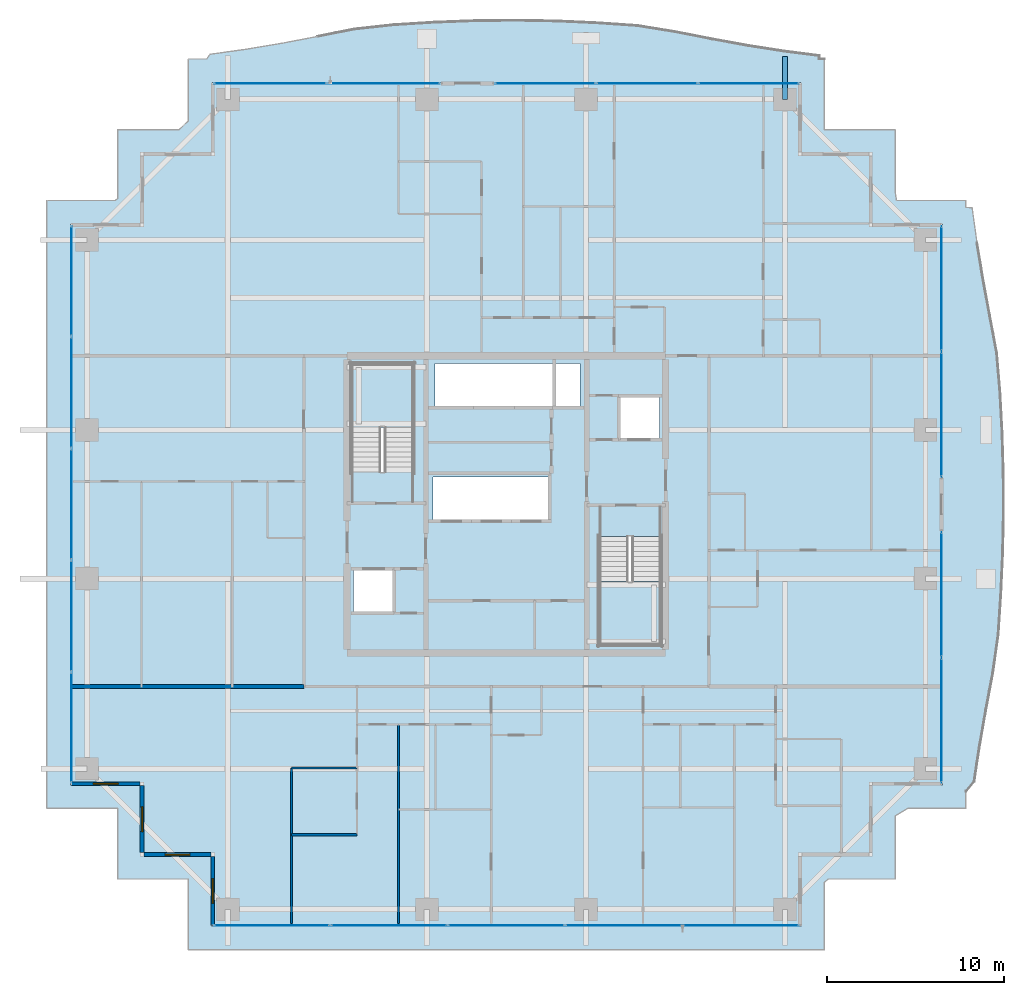
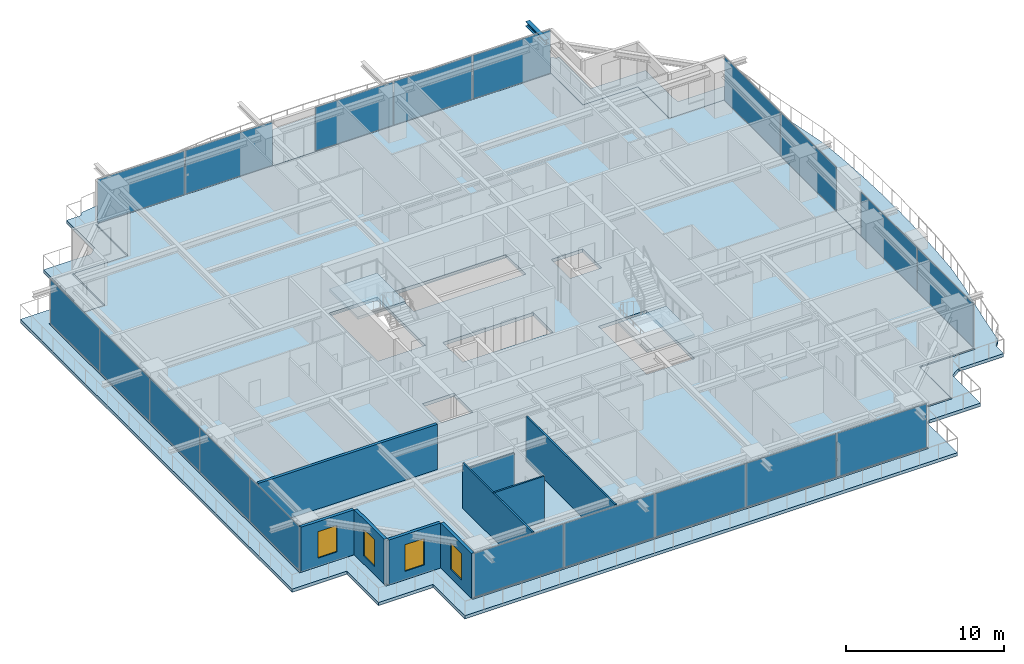
# One storey, part 23 of 34: 19 plates, 9 walls, 4 slabs, 4 windows, 1 beam, 4 openings, 8 elements without a shape of their own.
"""IFC4 building model written with IfcOpenShell, lengths in metres."""

from ifc_helpers import new_model, si_unit, direction, frame, frame_2d, origin, origin_2d, place, context, subcontext, project, spatial, polyline, rectangle, i_section, outline, extrude, source, transform, mapped, material, layer, layer_set, material_profile, profile_set, type_object, element, fill, aggregate, save


model = new_model("IFC4")

# Units and contexts
model_context = context("Model", 3, precision=1e-05, world=origin(), true_north=direction((0.0, 1.0)))
body_context = subcontext(model_context, "Body", "Model", "MODEL_VIEW")
ifc_project = project(units=[si_unit("LENGTHUNIT", "METRE"), si_unit("AREAUNIT", "SQUARE_METRE"), si_unit("VOLUMEUNIT", "CUBIC_METRE"), si_unit("PLANEANGLEUNIT", "RADIAN"), si_unit("MASSUNIT", "GRAM", prefix="KILO")], contexts=[model_context])

# Site, building, storey
site_placement = place(None, origin())
site = spatial("IfcSite", under=ifc_project, at=site_placement, CompositionType="ELEMENT")
building_placement = place(site_placement, origin())
building = spatial("IfcBuilding", under=site, at=building_placement, Name="Serunith Strait Residences", CompositionType="ELEMENT")
storey_placement = place(building_placement, frame((0.0, 0.0, 135.14990234375)))
storey = spatial("IfcBuildingStorey", under=building, at=storey_placement, Name="L33", CompositionType="ELEMENT", Elevation=135.14990234375)

# Beam
ifc_material_1 = material(Name="Steel S355J2", Category="steel")
ifc_material_profile = material_profile(ifc_material_1, i_section(OverallWidth=0.300048828125, OverallDepth=0.360107421875, WebThickness=0.012451171875, FlangeThickness=0.0224609375, FilletRadius=0.027099609375, at=origin_2d()), Name="HEB 360")
ifc_profile_set = profile_set([ifc_material_profile], Name="Steel S355J2")
beam_type = type_object("IfcBeamType", Name="BM-HEB360", PredefinedType="BEAM", material=ifc_profile_set)
shared_shape_1 = source(origin(), body_context, "Body", "SweptSolid", [
    extrude(i_section(OverallWidth=0.300048828125, OverallDepth=0.360107421875, WebThickness=0.012451171875, FlangeThickness=0.0224609375, FilletRadius=0.027099609375, at=origin_2d()), origin(), (0.0, 0.0, 1.0), 2.421142578125),
])
beam_placement = place(storey_placement, frame((48.14990234375, 48.10009765625, 3.277099609375), z_axis=(0.0, 1.0, 0.0), x_axis=(-1.0, 0.0, 0.0)))
element("IfcBeam", 1, at=beam_placement, inside=storey, type_object=beam_type, Name="L34 Cantilevered Balcony Rib TC-N4", PredefinedType="BEAM", context=body_context, shape_type="MappedRepresentation", body=[
    mapped(shared_shape_1, transform((0.0, 0.0, 0.0), scale=1.0)),
])

# Slab
ifc_material_2 = material(Name="Concrete C50/60", Category="concrete")
ifc_layer_1 = layer(ifc_material_2, 0.239990234375, Name="Concrete C50/60")
ifc_layer_set_1 = layer_set([ifc_layer_1], Name="Concrete C50/60")
slab_type_1 = type_object("IfcSlabType", Name="SLB-BALC-240", PredefinedType="FLOOR", material=ifc_layer_set_1)
slab_1_placement = place(storey_placement, frame((0.0, 0.0, -0.289794921875)))
element("IfcSlab", 2, at=slab_1_placement, inside=storey, type_object=slab_type_1, Name="L33 Planted Vertical-Forest Balcony Slab", PredefinedType="FLOOR", context=body_context, shape_type="SweptSolid", body=[
    extrude(outline(polyline([(10.419921875, 46.3798828125), (13.898193359375, 46.3798828125), (14.419921875, 46.881103515625), (14.419921875, 50.3798828125), (15.458984375, 50.3798828125), (15.649658203125, 50.646240234375), (17.647216796875, 50.923095703125), (19.662109375, 51.259521484375), (21.713134765625, 51.6484375), (23.820556640625, 52.0673828125), (26.041015625, 52.30615234375), (28.316650390625, 52.44775390625), (30.619873046875, 52.53515625), (32.9365234375, 52.55908203125), (35.250244140625, 52.517333984375), (37.54541015625, 52.413818359375), (39.80908203125, 52.2587890625), (41.97607421875, 51.907958984375), (44.057373046875, 51.497802734375), (46.09033203125, 51.12841796875), (48.095703125, 50.8154296875), (50.089599609375, 50.56201171875), (50.087890625, 50.3798828125), (50.3798828125, 50.3798828125), (50.3798828125, 46.3798828125), (54.3798828125, 46.3798828125), (54.3798828125, 42.86669921875), (54.452392578125, 42.3798828125), (58.3798828125, 42.3798828125), (58.3798828125, 41.98828125), (58.7294921875, 41.968017578125), (59.010498046875, 39.965576171875), (59.34521484375, 37.9423828125), (59.7236328125, 35.88134765625), (60.121337890625, 33.764404296875), (60.311279296875, 31.534912109375), (60.43115234375, 29.26416015625), (60.49951171875, 26.970458984375), (60.509521484375, 24.666748046875), (60.460205078125, 22.367431640625), (60.356689453125, 20.0859375), (60.20849609375, 17.83349609375), (59.901123046875, 15.660400390625), (59.509033203125, 13.573974609375), (59.151611328125, 11.5341796875), (58.8447265625, 9.523193359375), (58.3798828125, 8.976806640625), (58.3798828125, 8.02001953125), (55.114990234375, 8.02001953125), (54.3798828125, 7.579345703125), (54.3798828125, 4.02001953125), (50.601806640625, 4.02001953125), (50.3798828125, 3.8408203125), (50.3798828125, 0.02001953125), (14.419921875, 0.02001953125), (14.419921875, 4.02001953125), (10.419921875, 4.02001953125), (10.419921875, 8.02001953125), (6.419921875, 8.02001953125), (6.419921875, 42.3798828125), (10.284912109375, 42.3798828125), (10.419921875, 42.47802734375), (10.419921875, 46.3798828125)]), holes=[polyline([(49.054931640625, 1.344970703125), (49.054931640625, 5.344970703125), (53.054931640625, 5.344970703125), (53.054931640625, 9.344970703125), (57.054931640625, 9.344970703125), (57.054931640625, 41.054931640625), (53.054931640625, 41.054931640625), (53.054931640625, 45.054931640625), (49.054931640625, 45.054931640625), (49.054931640625, 49.054931640625), (15.7451171875, 49.054931640625), (15.7451171875, 45.054931640625), (11.7451171875, 45.054931640625), (11.7451171875, 41.054931640625), (7.7451171875, 41.054931640625), (7.7451171875, 9.344970703125), (11.7451171875, 9.344970703125), (11.7451171875, 5.344970703125), (15.7451171875, 5.344970703125), (15.7451171875, 1.344970703125), (49.054931640625, 1.344970703125)])]), origin(), (0.0, 0.0, 1.0), 0.239990234375),
])

# Stair, slab
stair_type_1 = type_object("IfcStairType", Name="STR-CORE-1", PredefinedType="HALF_TURN_STAIR", material=ifc_material_2)
stair_1_placement = place(storey_placement, origin())
stair_1 = element("IfcStair", 3, at=stair_1_placement, inside=storey, type_object=stair_type_1, Name="L33 Protected Escape Stair ST-1", PredefinedType="HALF_TURN_STAIR")
ifc_layer_2 = layer(ifc_material_2, 0.199951171875, Name="Concrete C50/60")
ifc_layer_set_2 = layer_set([ifc_layer_2], Name="Concrete C50/60")
slab_type_2 = type_object("IfcSlabType", Name="SLB-LAND-200", PredefinedType="LANDING", material=ifc_layer_set_2)
slab_2_placement = place(storey_placement, frame((0.0, 0.0, 1.675048828125)))
slab_2 = element("IfcSlab", 4, at=slab_2_placement, type_object=slab_type_2, Name="ST-1 landing 1", PredefinedType="LANDING", context=body_context, shape_type="SweptSolid", body=[
    extrude(outline(polyline([(27.14990234375, 29.550048828125), (27.14990234375, 33.14990234375), (23.64990234375, 33.14990234375), (23.64990234375, 29.550048828125), (27.14990234375, 29.550048828125)])), origin(), (0.0, 0.0, 1.0), 0.199951171875),
])
aggregate(stair_1, [slab_2])

stair_type_2 = type_object("IfcStairType", Name="STR-CORE-2", PredefinedType="HALF_TURN_STAIR", material=ifc_material_2)
stair_2_placement = place(storey_placement, origin())
stair_2 = element("IfcStair", 5, at=stair_2_placement, inside=storey, type_object=stair_type_2, Name="L33 Protected Escape Stair ST-2", PredefinedType="HALF_TURN_STAIR")
slab_3_placement = place(storey_placement, frame((0.0, 0.0, 1.675048828125)))
slab_3 = element("IfcSlab", 6, at=slab_3_placement, type_object=slab_type_2, Name="ST-2 landing 1", PredefinedType="LANDING", context=body_context, shape_type="SweptSolid", body=[
    extrude(outline(polyline([(37.64990234375, 20.85009765625), (37.64990234375, 17.25), (41.14990234375, 17.25), (41.14990234375, 20.85009765625), (37.64990234375, 20.85009765625)])), origin(), (0.0, 0.0, 1.0), 0.199951171875),
])
aggregate(stair_2, [slab_3])

# Slab
ifc_material_3 = material(Name="Concrete C60/75", Category="concrete")
ifc_layer_3 = layer(ifc_material_3, 0.260009765625, Name="Concrete C60/75")
ifc_layer_set_3 = layer_set([ifc_layer_3], Name="Concrete C60/75")
slab_type_3 = type_object("IfcSlabType", Name="SLB-TWR-260-Z2", PredefinedType="FLOOR", material=ifc_layer_set_3)
slab_4_placement = place(storey_placement, frame((0.0, 0.0, -0.260009765625)))
element("IfcSlab", 7, at=slab_4_placement, inside=storey, type_object=slab_type_3, Name="L33 Structural Floor Plate", PredefinedType="FLOOR", context=body_context, shape_type="SweptSolid", body=[
    extrude(outline(polyline([(15.800048828125, 5.39990234375), (11.800048828125, 5.39990234375), (11.800048828125, 9.39990234375), (7.800048828125, 9.39990234375), (7.800048828125, 41.0), (11.800048828125, 41.0), (11.800048828125, 45.0), (15.800048828125, 45.0), (15.800048828125, 49.0), (49.0, 49.0), (49.0, 45.0), (53.0, 45.0), (53.0, 41.0), (57.0, 41.0), (57.0, 9.39990234375), (53.0, 9.39990234375), (53.0, 5.39990234375), (49.0, 5.39990234375), (49.0, 1.39990234375), (15.800048828125, 1.39990234375), (15.800048828125, 5.39990234375)]), holes=[polyline([(41.14990234375, 23.3701171875), (37.64990234375, 23.3701171875), (37.64990234375, 17.25), (41.14990234375, 17.25), (41.14990234375, 23.3701171875)]), polyline([(38.75, 31.25), (38.75, 28.85009765625), (41.050048828125, 28.85009765625), (41.050048828125, 31.25), (38.75, 31.25)]), polyline([(36.550048828125, 33.14990234375), (28.35009765625, 33.14990234375), (28.35009765625, 30.64990234375), (36.550048828125, 30.64990234375), (36.550048828125, 33.14990234375)]), polyline([(34.85009765625, 26.75), (28.25, 26.75), (28.25, 24.25), (34.85009765625, 24.25), (34.85009765625, 26.75)]), polyline([(23.64990234375, 33.14990234375), (23.64990234375, 27.030029296875), (27.14990234375, 27.030029296875), (27.14990234375, 33.14990234375), (23.64990234375, 33.14990234375)]), polyline([(26.050048828125, 21.550048828125), (23.75, 21.550048828125), (23.75, 19.14990234375), (26.050048828125, 19.14990234375), (26.050048828125, 21.550048828125)])]), origin(), (0.0, 0.0, 1.0), 0.260009765625),
])

# Curtain wall, plates
ifc_material_4 = material(Name="Pale-Champagne Anodised Aluminium", Category="aluminium")
ifc_layer_4 = layer(ifc_material_4, 0.199951171875, Name="Pale-Champagne Anodised Aluminium")
ifc_layer_set_4 = layer_set([ifc_layer_4], Name="Pale-Champagne Anodised Aluminium")
curtain_wall_type = type_object("IfcCurtainWallType", Name="CW-SYS2", PredefinedType="NOTDEFINED", material=ifc_layer_set_4)
curtain_wall_1_placement = place(storey_placement, origin())
curtain_wall_1 = element("IfcCurtainWall", 8, at=curtain_wall_1_placement, inside=storey, type_object=curtain_wall_type, Name="L33 S Unitised Fritted Curtain Wall", PredefinedType="NOTDEFINED")
ifc_material_5 = material(Name="Diagonal-Frit Operable Low-E Glazing 30mm", Category="glass")
ifc_layer_5 = layer(ifc_material_5, 0.030029296875, Name="Diagonal-Frit Operable Low-E Glazing 30mm")
ifc_layer_set_5 = layer_set([ifc_layer_5], Name="Diagonal-Frit Operable Low-E Glazing 30mm")
plate_type = type_object("IfcPlateType", Name="CW-SYS2-PNL", PredefinedType="CURTAIN_PANEL", material=ifc_layer_set_5)
shared_shape_2 = source(origin(), body_context, "Body", "SweptSolid", [
    extrude(rectangle(XDim=6.534912109375, YDim=0.030029296875, at=origin_2d()), origin(), (0.0, 0.0, 1.0), 3.35498046875),
])
plate_1_placement = place(storey_placement, frame((19.137451171875, 1.39990234375, 0.06005859375), z_axis=(0.0, 0.0, 1.0), x_axis=(1.0, 0.0, 0.0)))
plate_1 = element("IfcPlate", 9, at=plate_1_placement, type_object=plate_type, Name="CW-2 panel 1.1", PredefinedType="CURTAIN_PANEL", context=body_context, shape_type="MappedRepresentation", body=[
    mapped(shared_shape_2, transform((0.0, 0.0, 0.0), scale=1.0)),
])
plate_2_placement = place(storey_placement, frame((45.66259765625, 1.39990234375, 0.06005859375), z_axis=(0.0, 0.0, 1.0), x_axis=(1.0, 0.0, 0.0)))
plate_2 = element("IfcPlate", 10, at=plate_2_placement, type_object=plate_type, Name="CW-2 panel 5.1", PredefinedType="CURTAIN_PANEL", context=body_context, shape_type="MappedRepresentation", body=[
    mapped(shared_shape_2, transform((0.0, 0.0, 0.0), scale=1.0)),
])
shared_shape_3 = source(origin(), body_context, "Body", "SweptSolid", [
    extrude(rectangle(XDim=6.570068359375, YDim=0.030029296875, at=origin_2d()), origin(), (0.0, 0.0, 1.0), 3.35498046875),
])
plate_3_placement = place(storey_placement, frame((25.760009765625, 1.39990234375, 0.06005859375), z_axis=(0.0, 0.0, 1.0), x_axis=(1.0, 0.0, 0.0)))
plate_3 = element("IfcPlate", 11, at=plate_3_placement, type_object=plate_type, Name="CW-2 panel 2.1", PredefinedType="CURTAIN_PANEL", context=body_context, shape_type="MappedRepresentation", body=[
    mapped(shared_shape_3, transform((0.0, 0.0, 0.0), scale=1.0)),
])
plate_4_placement = place(storey_placement, frame((32.39990234375, 1.39990234375, 0.06005859375), z_axis=(0.0, 0.0, 1.0), x_axis=(1.0, 0.0, 0.0)))
plate_4 = element("IfcPlate", 12, at=plate_4_placement, type_object=plate_type, Name="CW-2 panel 3.1", PredefinedType="CURTAIN_PANEL", context=body_context, shape_type="MappedRepresentation", body=[
    mapped(shared_shape_3, transform((0.0, 0.0, 0.0), scale=1.0)),
])
plate_5_placement = place(storey_placement, frame((39.0400390625, 1.39990234375, 0.06005859375), z_axis=(0.0, 0.0, 1.0), x_axis=(1.0, 0.0, 0.0)))
plate_5 = element("IfcPlate", 13, at=plate_5_placement, type_object=plate_type, Name="CW-2 panel 4.1", PredefinedType="CURTAIN_PANEL", context=body_context, shape_type="MappedRepresentation", body=[
    mapped(shared_shape_3, transform((0.0, 0.0, 0.0), scale=1.0)),
])
aggregate(curtain_wall_1, [plate_1, plate_3, plate_4, plate_5, plate_2])

curtain_wall_2_placement = place(storey_placement, origin())
curtain_wall_2 = element("IfcCurtainWall", 14, at=curtain_wall_2_placement, inside=storey, type_object=curtain_wall_type, Name="L33 W Unitised Fritted Curtain Wall", PredefinedType="NOTDEFINED")
shared_shape_4 = source(origin(), body_context, "Body", "SweptSolid", [
    extrude(rectangle(XDim=6.215087890625, YDim=0.030029296875, at=origin_2d()), origin(), (0.0, 0.0, 1.0), 3.35498046875),
])
plate_6_placement = place(storey_placement, frame((7.800048828125, 37.822509765625, 0.06005859375), z_axis=(0.0, 0.0, 1.0), x_axis=(0.0, -1.0, 0.0)))
plate_6 = element("IfcPlate", 15, at=plate_6_placement, type_object=plate_type, Name="CW-2 panel 1.1", PredefinedType="CURTAIN_PANEL", context=body_context, shape_type="MappedRepresentation", body=[
    mapped(shared_shape_4, transform((0.0, 0.0, 0.0), scale=1.0)),
])
plate_7_placement = place(storey_placement, frame((7.800048828125, 12.577392578125, 0.06005859375), z_axis=(0.0, 0.0, 1.0), x_axis=(0.0, -1.0, 0.0)))
plate_7 = element("IfcPlate", 16, at=plate_7_placement, type_object=plate_type, Name="CW-2 panel 5.1", PredefinedType="CURTAIN_PANEL", context=body_context, shape_type="MappedRepresentation", body=[
    mapped(shared_shape_4, transform((0.0, 0.0, 0.0), scale=1.0)),
])
shared_shape_5 = source(origin(), body_context, "Body", "SweptSolid", [
    extrude(rectangle(XDim=6.25, YDim=0.030029296875, at=origin_2d()), origin(), (0.0, 0.0, 1.0), 3.35498046875),
])
plate_8_placement = place(storey_placement, frame((7.800048828125, 31.52001953125, 0.06005859375), z_axis=(0.0, 0.0, 1.0), x_axis=(0.0, -1.0, 0.0)))
plate_8 = element("IfcPlate", 17, at=plate_8_placement, type_object=plate_type, Name="CW-2 panel 2.1", PredefinedType="CURTAIN_PANEL", context=body_context, shape_type="MappedRepresentation", body=[
    mapped(shared_shape_5, transform((0.0, 0.0, 0.0), scale=1.0)),
])
plate_9_placement = place(storey_placement, frame((7.800048828125, 25.199951171875, 0.06005859375), z_axis=(0.0, 0.0, 1.0), x_axis=(0.0, -1.0, 0.0)))
plate_9 = element("IfcPlate", 18, at=plate_9_placement, type_object=plate_type, Name="CW-2 panel 3.1", PredefinedType="CURTAIN_PANEL", context=body_context, shape_type="MappedRepresentation", body=[
    mapped(shared_shape_5, transform((0.0, 0.0, 0.0), scale=1.0)),
])
plate_10_placement = place(storey_placement, frame((7.800048828125, 18.8798828125, 0.06005859375), z_axis=(0.0, 0.0, 1.0), x_axis=(0.0, -1.0, 0.0)))
plate_10 = element("IfcPlate", 19, at=plate_10_placement, type_object=plate_type, Name="CW-2 panel 4.1", PredefinedType="CURTAIN_PANEL", context=body_context, shape_type="MappedRepresentation", body=[
    mapped(shared_shape_5, transform((0.0, 0.0, 0.0), scale=1.0)),
])
aggregate(curtain_wall_2, [plate_6, plate_8, plate_9, plate_10, plate_7])

curtain_wall_3_placement = place(storey_placement, origin())
curtain_wall_3 = element("IfcCurtainWall", 20, at=curtain_wall_3_placement, inside=storey, type_object=curtain_wall_type, Name="L33 N Unitised Fritted Curtain Wall", PredefinedType="NOTDEFINED")
shared_shape_6 = source(origin(), body_context, "Body", "SweptSolid", [
    extrude(rectangle(XDim=5.66162109375, YDim=0.030029296875, at=origin_2d()), origin(), (0.0, 0.0, 1.0), 3.35498046875),
])
plate_11_placement = place(storey_placement, frame((46.09912109375, 49.0, 0.06005859375), z_axis=(0.0, 0.0, 1.0), x_axis=(-1.0, 0.0, 0.0)))
plate_11 = element("IfcPlate", 21, at=plate_11_placement, type_object=plate_type, Name="CW-2 panel 1.1", PredefinedType="CURTAIN_PANEL", context=body_context, shape_type="MappedRepresentation", body=[
    mapped(shared_shape_6, transform((0.0, 0.0, 0.0), scale=1.0)),
])
plate_12_placement = place(storey_placement, frame((34.600830078125, 49.0, 0.06005859375), z_axis=(0.0, 0.0, 1.0), x_axis=(-1.0, 0.0, 0.0)))
plate_12 = element("IfcPlate", 22, at=plate_12_placement, type_object=plate_type, Name="CW-2 panel 3.1", PredefinedType="CURTAIN_PANEL", context=body_context, shape_type="MappedRepresentation", body=[
    mapped(shared_shape_6, transform((0.0, 0.0, 0.0), scale=1.0)),
])
shared_shape_7 = source(origin(), body_context, "Body", "SweptSolid", [
    extrude(rectangle(XDim=5.69677734375, YDim=0.030029296875, at=origin_2d()), origin(), (0.0, 0.0, 1.0), 3.35498046875),
])
plate_13_placement = place(storey_placement, frame((40.35009765625, 49.0, 0.06005859375), z_axis=(0.0, 0.0, 1.0), x_axis=(-1.0, 0.0, 0.0)))
plate_13 = element("IfcPlate", 23, at=plate_13_placement, type_object=plate_type, Name="CW-2 panel 2.1", PredefinedType="CURTAIN_PANEL", context=body_context, shape_type="MappedRepresentation", body=[
    mapped(shared_shape_7, transform((0.0, 0.0, 0.0), scale=1.0)),
])
aggregate(curtain_wall_3, [plate_11, plate_13, plate_12])

curtain_wall_4_placement = place(storey_placement, origin())
curtain_wall_4 = element("IfcCurtainWall", 24, at=curtain_wall_4_placement, inside=storey, type_object=curtain_wall_type, Name="L33 N Unitised Fritted Curtain Wall", PredefinedType="NOTDEFINED")
shared_shape_8 = source(origin(), body_context, "Body", "SweptSolid", [
    extrude(rectangle(XDim=6.344970703125, YDim=0.030029296875, at=origin_2d()), origin(), (0.0, 0.0, 1.0), 3.35498046875),
])
plate_14_placement = place(storey_placement, frame((25.45751953125, 49.0, 0.06005859375), z_axis=(0.0, 0.0, 1.0), x_axis=(-1.0, 0.0, 0.0)))
plate_14 = element("IfcPlate", 25, at=plate_14_placement, type_object=plate_type, Name="CW-2 panel 1.1", PredefinedType="CURTAIN_PANEL", context=body_context, shape_type="MappedRepresentation", body=[
    mapped(shared_shape_8, transform((0.0, 0.0, 0.0), scale=1.0)),
])
plate_15_placement = place(storey_placement, frame((19.04248046875, 49.0, 0.06005859375), z_axis=(0.0, 0.0, 1.0), x_axis=(-1.0, 0.0, 0.0)))
plate_15 = element("IfcPlate", 26, at=plate_15_placement, type_object=plate_type, Name="CW-2 panel 2.1", PredefinedType="CURTAIN_PANEL", context=body_context, shape_type="MappedRepresentation", body=[
    mapped(shared_shape_8, transform((0.0, 0.0, 0.0), scale=1.0)),
])
aggregate(curtain_wall_4, [plate_14, plate_15])

curtain_wall_5_placement = place(storey_placement, origin())
curtain_wall_5 = element("IfcCurtainWall", 27, at=curtain_wall_5_placement, inside=storey, type_object=curtain_wall_type, Name="L33 E Unitised Fritted Curtain Wall", PredefinedType="NOTDEFINED")
shared_shape_9 = source(origin(), body_context, "Body", "SweptSolid", [
    extrude(rectangle(XDim=7.044921875, YDim=0.030029296875, at=origin_2d()), origin(), (0.0, 0.0, 1.0), 3.35498046875),
])
plate_16_placement = place(storey_placement, frame((57.0, 12.992431640625, 0.06005859375), z_axis=(0.0, 0.0, 1.0), x_axis=(0.0, 1.0, 0.0)))
plate_16 = element("IfcPlate", 28, at=plate_16_placement, type_object=plate_type, Name="CW-2 panel 1.1", PredefinedType="CURTAIN_PANEL", context=body_context, shape_type="MappedRepresentation", body=[
    mapped(shared_shape_9, transform((0.0, 0.0, 0.0), scale=1.0)),
])
plate_17_placement = place(storey_placement, frame((57.0, 20.107421875, 0.06005859375), z_axis=(0.0, 0.0, 1.0), x_axis=(0.0, 1.0, 0.0)))
plate_17 = element("IfcPlate", 29, at=plate_17_placement, type_object=plate_type, Name="CW-2 panel 2.1", PredefinedType="CURTAIN_PANEL", context=body_context, shape_type="MappedRepresentation", body=[
    mapped(shared_shape_9, transform((0.0, 0.0, 0.0), scale=1.0)),
])
aggregate(curtain_wall_5, [plate_16, plate_17])

curtain_wall_6_placement = place(storey_placement, origin())
curtain_wall_6 = element("IfcCurtainWall", 30, at=curtain_wall_6_placement, inside=storey, type_object=curtain_wall_type, Name="L33 E Unitised Fritted Curtain Wall", PredefinedType="NOTDEFINED")
plate_18_placement = place(storey_placement, frame((57.0, 30.29248046875, 0.06005859375), z_axis=(0.0, 0.0, 1.0), x_axis=(0.0, 1.0, 0.0)))
plate_18 = element("IfcPlate", 31, at=plate_18_placement, type_object=plate_type, Name="CW-2 panel 1.1", PredefinedType="CURTAIN_PANEL", context=body_context, shape_type="MappedRepresentation", body=[
    mapped(shared_shape_9, transform((0.0, 0.0, 0.0), scale=1.0)),
])
plate_19_placement = place(storey_placement, frame((57.0, 37.407470703125, 0.06005859375), z_axis=(0.0, 0.0, 1.0), x_axis=(0.0, 1.0, 0.0)))
plate_19 = element("IfcPlate", 32, at=plate_19_placement, type_object=plate_type, Name="CW-2 panel 2.1", PredefinedType="CURTAIN_PANEL", context=body_context, shape_type="MappedRepresentation", body=[
    mapped(shared_shape_9, transform((0.0, 0.0, 0.0), scale=1.0)),
])
aggregate(curtain_wall_6, [plate_18, plate_19])

# Wall, opening, window
ifc_material_6 = material(Name="Pale-Champagne Aluminium Insulated Panel", Category="aluminium")
ifc_layer_6 = layer(ifc_material_6, 0.219970703125, Name="Pale-Champagne Aluminium Insulated Panel")
ifc_layer_set_6 = layer_set([ifc_layer_6], Name="Pale-Champagne Aluminium Insulated Panel")
wall_type_1 = type_object("IfcWallType", Name="EW-ALUM-220", PredefinedType="ELEMENTEDWALL", material=ifc_layer_set_6)
wall_1_placement = place(storey_placement, frame((7.800048828125, 9.39990234375, 0.0), z_axis=(0.0, 0.0, 1.0), x_axis=(1.0, 0.0, 0.0)))
wall_1 = element("IfcWall", 33, at=wall_1_placement, inside=storey, type_object=wall_type_1, Name="L33 Girih Serrated Corner Wall 17", PredefinedType="ELEMENTEDWALL", context=body_context, shape_type="SweptSolid", body=[
    extrude(rectangle(XDim=3.889892578125, YDim=0.219970703125, at=frame_2d((1.94482421875, 0.0))), origin(), (0.0, 0.0, 1.0), 3.47509765625),
])
opening_1_placement = place(wall_1_placement, frame((1.2451171875, 0.0, 0.64990234375)))
opening_1 = element("IfcOpeningElement", 34, at=opening_1_placement, cuts=wall_1, Name="Opening W-03", PredefinedType="OPENING", context=body_context, shape_type="SweptSolid", body=[
    extrude(rectangle(XDim=1.39990234375, YDim=2.050048828125, at=frame_2d((0.699951171875, 1.02490234375))), frame((0.0, 0.1201171875, 0.0), z_axis=(0.0, -1.0, 0.0), x_axis=(1.0, 0.0, 0.0)), (0.0, 0.0, 1.0), 0.239990234375),
])
ifc_material_7 = material(Name="Ceramic-Fritted Operable Aluminium Window Glass", Category="aluminium")
window_type = type_object("IfcWindowType", Name="WIN-C3", PartitioningType="SINGLE_PANEL", PredefinedType="WINDOW", material=ifc_material_7)
shared_shape_10 = source(origin(), body_context, "Body", "SweptSolid", [
    extrude(rectangle(XDim=1.39990234375, YDim=2.050048828125, at=frame_2d((0.699951171875, 1.02490234375))), frame((0.0, 0.030029296875, 0.0), z_axis=(0.0, -1.0, 0.0), x_axis=(1.0, 0.0, 0.0)), (0.0, 0.0, 1.0), 0.06005859375),
])
window_1_placement = place(opening_1_placement, origin())
window_1 = element("IfcWindow", 35, at=window_1_placement, inside=storey, type_object=window_type, Name="L33 Corner Operable Fritted Window 17", OverallHeight=2.050048828125, OverallWidth=1.39990234375, PartitioningType="SINGLE_PANEL", PredefinedType="WINDOW", context=body_context, shape_type="MappedRepresentation", body=[
    mapped(shared_shape_10, transform((0.0, 0.0, 0.0), scale=1.0)),
])
fill(opening_1, window_1)

wall_2_placement = place(storey_placement, frame((11.800048828125, 9.2900390625, 0.0), z_axis=(0.0, 0.0, 1.0), x_axis=(0.0, -1.0, 0.0)))
wall_2 = element("IfcWall", 36, at=wall_2_placement, inside=storey, type_object=wall_type_1, Name="L33 Girih Serrated Corner Wall 18", PredefinedType="ELEMENTEDWALL", context=body_context, shape_type="SweptSolid", body=[
    extrude(rectangle(XDim=3.780029296875, YDim=0.219970703125, at=frame_2d((1.89013671875, 0.0))), origin(), (0.0, 0.0, 1.0), 3.47509765625),
])
opening_2_placement = place(wall_2_placement, frame((1.18994140625, 0.0, 0.64990234375)))
opening_2 = element("IfcOpeningElement", 37, at=opening_2_placement, cuts=wall_2, Name="Opening W-03", PredefinedType="OPENING", context=body_context, shape_type="SweptSolid", body=[
    extrude(rectangle(XDim=1.39990234375, YDim=2.050048828125, at=frame_2d((0.699951171875, 1.02490234375))), frame((0.0, 0.1201171875, 0.0), z_axis=(0.0, -1.0, 0.0), x_axis=(1.0, 0.0, 0.0)), (0.0, 0.0, 1.0), 0.239990234375),
])
window_2_placement = place(opening_2_placement, origin())
window_2 = element("IfcWindow", 38, at=window_2_placement, inside=storey, type_object=window_type, Name="L33 Corner Operable Fritted Window 18", OverallHeight=2.050048828125, OverallWidth=1.39990234375, PartitioningType="SINGLE_PANEL", PredefinedType="WINDOW", context=body_context, shape_type="MappedRepresentation", body=[
    mapped(shared_shape_10, transform((0.0, 0.0, 0.0), scale=1.0)),
])
fill(opening_2, window_2)

wall_3_placement = place(storey_placement, frame((11.909912109375, 5.39990234375, 0.0), z_axis=(0.0, 0.0, 1.0), x_axis=(1.0, 0.0, 0.0)))
wall_3 = element("IfcWall", 39, at=wall_3_placement, inside=storey, type_object=wall_type_1, Name="L33 Girih Serrated Corner Wall 19", PredefinedType="ELEMENTEDWALL", context=body_context, shape_type="SweptSolid", body=[
    extrude(rectangle(XDim=3.780029296875, YDim=0.219970703125, at=frame_2d((1.89013671875, 0.0))), origin(), (0.0, 0.0, 1.0), 3.47509765625),
])
opening_3_placement = place(wall_3_placement, frame((1.18994140625, 0.0, 0.64990234375)))
opening_3 = element("IfcOpeningElement", 40, at=opening_3_placement, cuts=wall_3, Name="Opening W-03", PredefinedType="OPENING", context=body_context, shape_type="SweptSolid", body=[
    extrude(rectangle(XDim=1.39990234375, YDim=2.050048828125, at=frame_2d((0.699951171875, 1.02490234375))), frame((0.0, 0.1201171875, 0.0), z_axis=(0.0, -1.0, 0.0), x_axis=(1.0, 0.0, 0.0)), (0.0, 0.0, 1.0), 0.239990234375),
])
window_3_placement = place(opening_3_placement, origin())
window_3 = element("IfcWindow", 41, at=window_3_placement, inside=storey, type_object=window_type, Name="L33 Corner Operable Fritted Window 19", OverallHeight=2.050048828125, OverallWidth=1.39990234375, PartitioningType="SINGLE_PANEL", PredefinedType="WINDOW", context=body_context, shape_type="MappedRepresentation", body=[
    mapped(shared_shape_10, transform((0.0, 0.0, 0.0), scale=1.0)),
])
fill(opening_3, window_3)

wall_4_placement = place(storey_placement, frame((15.800048828125, 5.2900390625, 0.0), z_axis=(0.0, 0.0, 1.0), x_axis=(0.0, -1.0, 0.0)))
wall_4 = element("IfcWall", 42, at=wall_4_placement, inside=storey, type_object=wall_type_1, Name="L33 Girih Serrated Corner Wall 20", PredefinedType="ELEMENTEDWALL", context=body_context, shape_type="SweptSolid", body=[
    extrude(rectangle(XDim=3.89013671875, YDim=0.219970703125, at=frame_2d((1.945068359375, 0.0))), origin(), (0.0, 0.0, 1.0), 3.47509765625),
])
opening_4_placement = place(wall_4_placement, frame((1.2451171875, 0.0, 0.64990234375)))
opening_4 = element("IfcOpeningElement", 43, at=opening_4_placement, cuts=wall_4, Name="Opening W-03", PredefinedType="OPENING", context=body_context, shape_type="SweptSolid", body=[
    extrude(rectangle(XDim=1.39990234375, YDim=2.050048828125, at=frame_2d((0.699951171875, 1.02490234375))), frame((0.0, 0.1201171875, 0.0), z_axis=(0.0, -1.0, 0.0), x_axis=(1.0, 0.0, 0.0)), (0.0, 0.0, 1.0), 0.239990234375),
])
window_4_placement = place(opening_4_placement, origin())
window_4 = element("IfcWindow", 44, at=window_4_placement, inside=storey, type_object=window_type, Name="L33 Corner Operable Fritted Window 20", OverallHeight=2.050048828125, OverallWidth=1.39990234375, PartitioningType="SINGLE_PANEL", PredefinedType="WINDOW", context=body_context, shape_type="MappedRepresentation", body=[
    mapped(shared_shape_10, transform((0.0, 0.0, 0.0), scale=1.0)),
])
fill(opening_4, window_4)

# Walls
ifc_material_8 = material(Name="Lightweight steel-stud gypsum partition", Category="steel")
ifc_layer_7 = layer(ifc_material_8, 0.1201171875, Name="Lightweight steel-stud gypsum partition")
ifc_layer_set_7 = layer_set([ifc_layer_7], Name="Lightweight steel-stud gypsum partition")
wall_type_2 = type_object("IfcWallType", Name="IW-PART-120", PredefinedType="PARTITIONING", material=ifc_layer_set_7)
wall_5_placement = place(storey_placement, frame((26.300048828125, 1.4951171875, 0.0), z_axis=(0.0, 0.0, 1.0), x_axis=(0.0, 1.0, 0.0)))
element("IfcWall", 45, at=wall_5_placement, inside=storey, type_object=wall_type_2, Name="L33 Partition Wall 035", PredefinedType="PARTITIONING", context=body_context, shape_type="SweptSolid", body=[
    extrude(rectangle(XDim=11.2548828125, YDim=0.1201171875, at=frame_2d((5.62744140625, 0.0))), origin(), (0.0, 0.0, 1.0), 3.489990234375),
])
wall_6_placement = place(storey_placement, frame((20.25, 6.51904296875, 0.0), z_axis=(0.0, 0.0, 1.0), x_axis=(1.0, 0.0, 0.0)))
element("IfcWall", 46, at=wall_6_placement, inside=storey, type_object=wall_type_2, Name="L33 Partition Wall 040", PredefinedType="PARTITIONING", context=body_context, shape_type="SweptSolid", body=[
    extrude(rectangle(XDim=3.699951171875, YDim=0.1201171875, at=frame_2d((1.85009765625, 0.0))), origin(), (0.0, 0.0, 1.0), 3.489990234375),
])
wall_7_placement = place(storey_placement, frame((20.25, 1.4951171875, 0.0), z_axis=(0.0, 0.0, 1.0), x_axis=(0.0, 1.0, 0.0)))
element("IfcWall", 47, at=wall_7_placement, inside=storey, type_object=wall_type_2, Name="L33 Partition Wall 041", PredefinedType="PARTITIONING", context=body_context, shape_type="SweptSolid", body=[
    extrude(rectangle(XDim=8.807861328125, YDim=0.1201171875, at=frame_2d((4.40380859375, 0.0))), origin(), (0.0, 0.0, 1.0), 3.489990234375),
])
wall_8_placement = place(storey_placement, frame((20.25, 10.302978515625, 0.0), z_axis=(0.0, 0.0, 1.0), x_axis=(1.0, 0.0, 0.0)))
element("IfcWall", 48, at=wall_8_placement, inside=storey, type_object=wall_type_2, Name="L33 Partition Wall 042", PredefinedType="PARTITIONING", context=body_context, shape_type="SweptSolid", body=[
    extrude(rectangle(XDim=3.699951171875, YDim=0.1201171875, at=frame_2d((1.85009765625, 0.0))), origin(), (0.0, 0.0, 1.0), 2.97216796875),
])
ifc_material_9 = material(Name="Twin-stud acoustic gypsum board partition")
ifc_layer_8 = layer(ifc_material_9, 0.199951171875, Name="Twin-stud acoustic gypsum board partition")
ifc_layer_set_8 = layer_set([ifc_layer_8], Name="Twin-stud acoustic gypsum board partition")
wall_type_3 = type_object("IfcWallType", Name="IW-PARTY-200", PredefinedType="PARTITIONING", material=ifc_layer_set_8)
wall_9_placement = place(storey_placement, frame((7.882080078125, 14.89990234375, 0.0), z_axis=(0.0, 0.0, 1.0), x_axis=(1.0, 0.0, 0.0)))
element("IfcWall", 49, at=wall_9_placement, inside=storey, type_object=wall_type_3, Name="L33 Partition Wall 020", PredefinedType="PARTITIONING", context=body_context, shape_type="SweptSolid", body=[
    extrude(rectangle(XDim=13.06787109375, YDim=0.199951171875, at=frame_2d((6.533935546875, 0.0))), origin(), (0.0, 0.0, 1.0), 3.489990234375),
])

save(model, "model.ifc")
